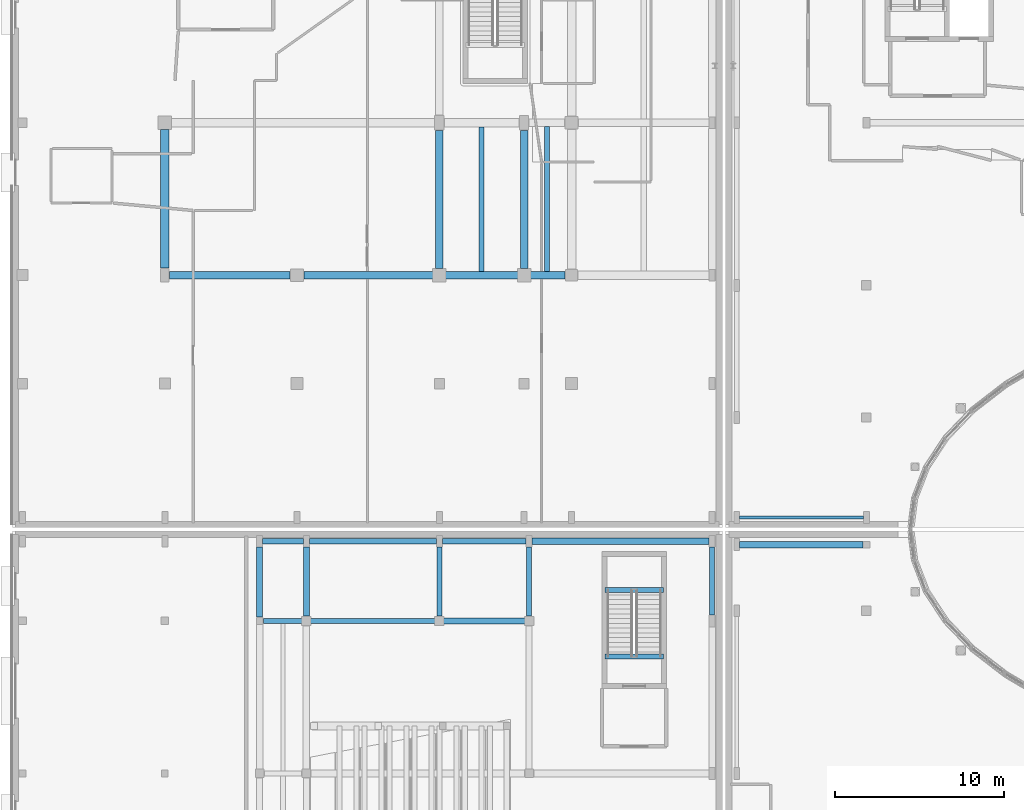
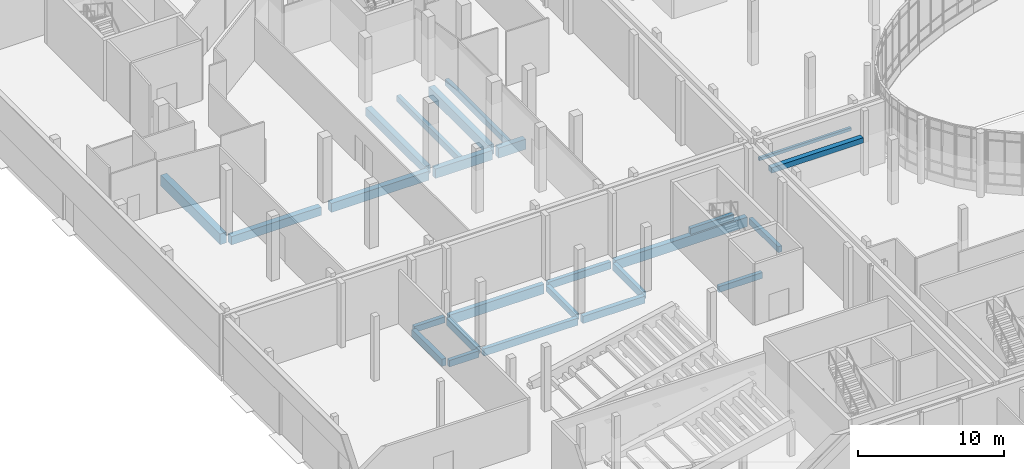
# One storey, part 17 of 84: 25 beams.
"""IFC4 building model written with IfcOpenShell, lengths in metres."""

from ifc_helpers import new_model, si_unit, direction, frame, origin, origin_2d, place, context, subcontext, project, spatial, rectangle, extrude, material, material_profile, profile_set, type_object, element, save


model = new_model("IFC4")

# Units and contexts
model_context = context("Model", 3, precision=1e-05, world=origin(), true_north=direction((0.0, 1.0)))
body_context = subcontext(model_context, "Body", "Model", "MODEL_VIEW")
ifc_project = project(units=[si_unit("LENGTHUNIT", "METRE"), si_unit("AREAUNIT", "SQUARE_METRE"), si_unit("VOLUMEUNIT", "CUBIC_METRE"), si_unit("PLANEANGLEUNIT", "RADIAN"), si_unit("MASSUNIT", "GRAM", prefix="KILO")], contexts=[model_context])

# Site, building, storey
site_placement = place(None, origin())
site = spatial("IfcSite", under=ifc_project, at=site_placement, CompositionType="ELEMENT")
building_placement = place(site_placement, origin())
building = spatial("IfcBuilding", under=site, at=building_placement, Name="Mzevani Central Library", CompositionType="ELEMENT")
storey_placement = place(building_placement, origin())
storey = spatial("IfcBuildingStorey", under=building, at=storey_placement, Name="L00", CompositionType="ELEMENT", Elevation=0.0)

# Beams
ifc_material_1 = material(Name="Concrete C35/45", Category="concrete")
ifc_material_profile_1 = material_profile(ifc_material_1, rectangle(XDim=0.300048828125, YDim=0.5, at=origin_2d()), Name="RC B300x500")
ifc_profile_set_1 = profile_set([ifc_material_profile_1], Name="Concrete C35/45")
beam_type_1 = type_object("IfcBeamType", Name="Beam RC 300x500", PredefinedType="BEAM", material=ifc_profile_set_1)
beam_1_placement = place(storey_placement, frame((18.77490234375, 75.300048828125, -0.64990234375), z_axis=(1.0, 0.0, 0.0), x_axis=(0.0, 1.0, 0.0)))
element("IfcBeam", 1, at=beam_1_placement, inside=storey, type_object=beam_type_1, Name="L00 V5 Girder B-01 (908)", PredefinedType="BEAM", context=body_context, shape_type="SweptSolid", body=[
    extrude(rectangle(XDim=0.300048828125, YDim=0.5, at=origin_2d()), origin(), (0.0, 0.0, 1.0), 2.400146484375),
])
beam_2_placement = place(storey_placement, frame((29.199951171875, 70.89990234375, -0.64990234375), z_axis=(0.0, 1.0, 0.0), x_axis=(-1.0, 0.0, 0.0)))
element("IfcBeam", 2, at=beam_2_placement, inside=storey, type_object=beam_type_1, Name="L00 V5 Frame Beam B-01 (920)", PredefinedType="BEAM", context=body_context, shape_type="SweptSolid", body=[
    extrude(rectangle(XDim=0.300048828125, YDim=0.5, at=origin_2d()), origin(), (0.0, 0.0, 1.0), 4.050048828125),
])
beam_3_placement = place(storey_placement, frame((45.300048828125, 70.949951171875, -0.64990234375), z_axis=(0.0, 1.0, 0.0), x_axis=(-1.0, 0.0, 0.0)))
element("IfcBeam", 3, at=beam_3_placement, inside=storey, type_object=beam_type_1, Name="L00 V5 Frame Beam B-01 (924)", PredefinedType="BEAM", context=body_context, shape_type="SweptSolid", body=[
    extrude(rectangle(XDim=0.300048828125, YDim=0.5, at=origin_2d()), origin(), (0.0, 0.0, 1.0), 4.0),
])
for number, where, z_axis, x_axis, name in (
    (4, (38.97998046875, 72.419921875, 2.25), (1.0, 0.0, 0.0), (0.0, 1.0, 0.0), "L00 Core C5B Lecture North Escape Stair Stair Landing Beam 1"),
    (5, (38.97998046875, 68.5, -0.25), (1.0, 0.0, 0.0), (0.0, 1.0, 0.0), "L00 Core C5B Lecture North Escape Stair Stair Opening Trimmer Beam"),
):
    element("IfcBeam", number, at=place(storey_placement, frame(where, z_axis=z_axis, x_axis=x_axis)), inside=storey, type_object=beam_type_1, Name=name, PredefinedType="BEAM", context=body_context, shape_type="SweptSolid", body=[
        extrude(rectangle(XDim=0.300048828125, YDim=0.5, at=origin_2d()), origin(), (0.0, 0.0, 1.0), 3.43994140625),
    ])
ifc_material_profile_2 = material_profile(ifc_material_1, rectangle(XDim=0.300048828125, YDim=0.550048828125, at=origin_2d()), Name="RC B300x550")
ifc_profile_set_2 = profile_set([ifc_material_profile_2], Name="Concrete C35/45")
beam_type_2 = type_object("IfcBeamType", Name="Beam RC 300x550", PredefinedType="BEAM", material=ifc_profile_set_2)
beam_4_placement = place(storey_placement, frame((18.824951171875, 70.60009765625, -0.675048828125), z_axis=(1.0, 0.0, 0.0), x_axis=(0.0, 1.0, 0.0)))
element("IfcBeam", 6, at=beam_4_placement, inside=storey, type_object=beam_type_2, Name="L00 V5 Girder B-02 (905)", PredefinedType="BEAM", context=body_context, shape_type="SweptSolid", body=[
    extrude(rectangle(XDim=0.300048828125, YDim=0.550048828125, at=origin_2d()), origin(), (0.0, 0.0, 1.0), 2.324951171875),
])
ifc_material_profile_3 = material_profile(ifc_material_1, rectangle(XDim=0.300048828125, YDim=0.60009765625, at=origin_2d()), Name="RC B300x600")
ifc_profile_set_3 = profile_set([ifc_material_profile_3], Name="Concrete C35/45")
beam_type_3 = type_object("IfcBeamType", Name="Beam RC 300x600", PredefinedType="BEAM", material=ifc_profile_set_3)
beam_5_placement = place(storey_placement, frame((21.550048828125, 70.60009765625, -0.699951171875), z_axis=(1.0, 0.0, 0.0), x_axis=(0.0, 1.0, 0.0)))
element("IfcBeam", 7, at=beam_5_placement, inside=storey, type_object=beam_type_3, Name="L00 V5 Girder B-03 (906)", PredefinedType="BEAM", context=body_context, shape_type="SweptSolid", body=[
    extrude(rectangle(XDim=0.300048828125, YDim=0.60009765625, at=origin_2d()), origin(), (0.0, 0.0, 1.0), 7.449951171875),
])
beam_6_placement = place(storey_placement, frame((29.375, 75.300048828125, -0.699951171875), z_axis=(1.0, 0.0, 0.0), x_axis=(0.0, 1.0, 0.0)))
element("IfcBeam", 8, at=beam_6_placement, inside=storey, type_object=beam_type_3, Name="L00 V5 Girder B-03 (910)", PredefinedType="BEAM", context=body_context, shape_type="SweptSolid", body=[
    extrude(rectangle(XDim=0.300048828125, YDim=0.60009765625, at=origin_2d()), origin(), (0.0, 0.0, 1.0), 4.949951171875),
])
beam_7_placement = place(storey_placement, frame((34.5, 70.89990234375, -0.699951171875), z_axis=(0.0, 1.0, 0.0), x_axis=(-1.0, 0.0, 0.0)))
element("IfcBeam", 9, at=beam_7_placement, inside=storey, type_object=beam_type_3, Name="L00 V5 Frame Beam B-03 (922)", PredefinedType="BEAM", context=body_context, shape_type="SweptSolid", body=[
    extrude(rectangle(XDim=0.300048828125, YDim=0.60009765625, at=origin_2d()), origin(), (0.0, 0.0, 1.0), 4.050048828125),
])
ifc_material_profile_4 = material_profile(ifc_material_1, rectangle(XDim=0.35009765625, YDim=0.60009765625, at=origin_2d()), Name="RC B350x600")
ifc_profile_set_4 = profile_set([ifc_material_profile_4], Name="Concrete C35/45")
beam_type_4 = type_object("IfcBeamType", Name="Beam RC 350x600", PredefinedType="BEAM", material=ifc_profile_set_4)
beam_8_placement = place(storey_placement, frame((29.39990234375, 70.60009765625, -0.699951171875), z_axis=(1.0, 0.0, 0.0), x_axis=(0.0, 1.0, 0.0)))
element("IfcBeam", 10, at=beam_8_placement, inside=storey, type_object=beam_type_4, Name="L00 V5 Girder B-04 (907)", PredefinedType="BEAM", context=body_context, shape_type="SweptSolid", body=[
    extrude(rectangle(XDim=0.35009765625, YDim=0.60009765625, at=origin_2d()), origin(), (0.0, 0.0, 1.0), 4.900146484375),
])
beam_9_placement = place(storey_placement, frame((18.60009765625, 70.824951171875, -0.699951171875), z_axis=(0.0, 1.0, 0.0), x_axis=(-1.0, 0.0, 0.0)))
element("IfcBeam", 11, at=beam_9_placement, inside=storey, type_object=beam_type_4, Name="L00 V5 Frame Beam B-04 (915)", PredefinedType="BEAM", context=body_context, shape_type="SweptSolid", body=[
    extrude(rectangle(XDim=0.35009765625, YDim=0.60009765625, at=origin_2d()), origin(), (0.0, 0.0, 1.0), 4.125),
])
beam_10_placement = place(storey_placement, frame((21.35009765625, 70.89990234375, -0.699951171875), z_axis=(0.0, 1.0, 0.0), x_axis=(-1.0, 0.0, 0.0)))
element("IfcBeam", 12, at=beam_10_placement, inside=storey, type_object=beam_type_4, Name="L00 V5 Frame Beam B-04 (919)", PredefinedType="BEAM", context=body_context, shape_type="SweptSolid", body=[
    extrude(rectangle(XDim=0.35009765625, YDim=0.60009765625, at=origin_2d()), origin(), (0.0, 0.0, 1.0), 4.050048828125),
])
ifc_material_profile_5 = material_profile(ifc_material_1, rectangle(XDim=0.39990234375, YDim=0.800048828125, at=origin_2d()), Name="RC B400x800")
ifc_profile_set_5 = profile_set([ifc_material_profile_5], Name="Concrete C35/45")
beam_type_5 = type_object("IfcBeamType", Name="Beam RC 400x800", PredefinedType="BEAM", material=ifc_profile_set_5)
beam_11_placement = place(storey_placement, frame((34.675048828125, 75.300048828125, -0.800048828125), z_axis=(1.0, 0.0, 0.0), x_axis=(0.0, 1.0, 0.0)))
element("IfcBeam", 13, at=beam_11_placement, inside=storey, type_object=beam_type_5, Name="L00 V5 Girder B-10 (911)", PredefinedType="BEAM", context=body_context, shape_type="SweptSolid", body=[
    extrude(rectangle(XDim=0.39990234375, YDim=0.800048828125, at=origin_2d()), origin(), (0.0, 0.0, 1.0), 10.449951171875),
])
ifc_material_2 = material(Name="Precast concrete C40/50", Category="concrete")
ifc_material_profile_6 = material_profile(ifc_material_2, rectangle(XDim=0.35009765625, YDim=0.800048828125, at=origin_2d()), Name="RC SP350x800")
ifc_profile_set_6 = profile_set([ifc_material_profile_6], Name="Precast concrete C40/50")
beam_type_6 = type_object("IfcBeamType", Name="Colonnade Fascia Beam RC 350x800", PredefinedType="SPANDREL", material=ifc_profile_set_6)
beam_12_placement = place(storey_placement, frame((21.52490234375, 75.300048828125, -0.800048828125), z_axis=(1.0, 0.0, 0.0), x_axis=(0.0, 1.0, 0.0)))
element("IfcBeam", 14, at=beam_12_placement, inside=storey, type_object=beam_type_6, Name="L00 V5 Girder SP-02 (909)", PredefinedType="SPANDREL", context=body_context, shape_type="SweptSolid", body=[
    extrude(rectangle(XDim=0.35009765625, YDim=0.800048828125, at=origin_2d()), origin(), (0.0, 0.0, 1.0), 7.5),
])
ifc_material_profile_7 = material_profile(ifc_material_2, rectangle(XDim=0.39990234375, YDim=0.449951171875, at=origin_2d()), Name="PC LN400x450")
ifc_profile_set_7 = profile_set([ifc_material_profile_7], Name="Precast concrete C40/50")
beam_type_7 = type_object("IfcBeamType", Name="Precast Portal Lintel 400x450", PredefinedType="LINTEL", material=ifc_profile_set_7)
beam_13_placement = place(storey_placement, frame((46.925048828125, 75.10009765625, 2.97509765625), z_axis=(1.0, 0.0, 0.0), x_axis=(0.0, 1.0, 0.0)))
element("IfcBeam", 15, at=beam_13_placement, inside=storey, type_object=beam_type_7, Name="L00 V1 Precast Portal Lintel (6)", PredefinedType="LINTEL", context=body_context, shape_type="SweptSolid", body=[
    extrude(rectangle(XDim=0.39990234375, YDim=0.449951171875, at=origin_2d()), origin(), (0.0, 0.0, 1.0), 7.27490234375),
])
ifc_material_profile_8 = material_profile(ifc_material_2, rectangle(XDim=0.199951171875, YDim=0.25, at=origin_2d()), Name="PC LN200x250")
ifc_profile_set_8 = profile_set([ifc_material_profile_8], Name="Precast concrete C40/50")
beam_type_8 = type_object("IfcBeamType", Name="Precast Window Lintel 200x250", PredefinedType="LINTEL", material=ifc_profile_set_8)
beam_14_placement = place(storey_placement, frame((46.925048828125, 76.699951171875, 2.875), z_axis=(1.0, 0.0, 0.0), x_axis=(0.0, 1.0, 0.0)))
element("IfcBeam", 16, at=beam_14_placement, inside=storey, type_object=beam_type_8, Name="L00 V3 Precast Portal Lintel (25)", PredefinedType="LINTEL", context=body_context, shape_type="SweptSolid", body=[
    extrude(rectangle(XDim=0.199951171875, YDim=0.25, at=origin_2d()), origin(), (0.0, 0.0, 1.0), 7.300048828125),
])
ifc_material_3 = material(Name="Concrete C40/50", Category="concrete")
ifc_material_profile_9 = material_profile(ifc_material_3, rectangle(XDim=0.449951171875, YDim=0.699951171875, at=origin_2d()), Name="RC B450x700")
ifc_profile_set_9 = profile_set([ifc_material_profile_9], Name="Concrete C40/50")
beam_type_9 = type_object("IfcBeamType", Name="Stack Girder RC 450x700", PredefinedType="BEAM", material=ifc_profile_set_9)
beam_15_placement = place(storey_placement, frame((13.27490234375, 91.0, -0.75), z_axis=(1.0, 0.0, 0.0), x_axis=(0.0, 1.0, 0.0)))
element("IfcBeam", 17, at=beam_15_placement, inside=storey, type_object=beam_type_9, Name="L00 V2 Girder BG-01 (175)", PredefinedType="BEAM", context=body_context, shape_type="SweptSolid", body=[
    extrude(rectangle(XDim=0.449951171875, YDim=0.699951171875, at=origin_2d()), origin(), (0.0, 0.0, 1.0), 7.125),
])
beam_16_placement = place(storey_placement, frame((29.199951171875, 91.39990234375, -0.75), z_axis=(0.0, 1.0, 0.0), x_axis=(-1.0, 0.0, 0.0)))
element("IfcBeam", 18, at=beam_16_placement, inside=storey, type_object=beam_type_9, Name="L00 V2 Frame Beam BG-01 (189)", PredefinedType="BEAM", context=body_context, shape_type="SweptSolid", body=[
    extrude(rectangle(XDim=0.449951171875, YDim=0.699951171875, at=origin_2d()), origin(), (0.0, 0.0, 1.0), 8.150146484375),
])
ifc_material_profile_10 = material_profile(ifc_material_3, rectangle(XDim=0.449951171875, YDim=0.75, at=origin_2d()), Name="RC B450x750")
ifc_profile_set_10 = profile_set([ifc_material_profile_10], Name="Concrete C40/50")
beam_type_10 = type_object("IfcBeamType", Name="Stack Girder RC 450x750", PredefinedType="BEAM", material=ifc_profile_set_10)
beam_17_placement = place(storey_placement, frame((21.199951171875, 91.0, -0.77490234375), z_axis=(1.0, 0.0, 0.0), x_axis=(0.0, 1.0, 0.0)))
element("IfcBeam", 19, at=beam_17_placement, inside=storey, type_object=beam_type_10, Name="L00 V2 Girder BG-02 (176)", PredefinedType="BEAM", context=body_context, shape_type="SweptSolid", body=[
    extrude(rectangle(XDim=0.449951171875, YDim=0.75, at=origin_2d()), origin(), (0.0, 0.0, 1.0), 7.75),
])
ifc_material_profile_11 = material_profile(ifc_material_3, rectangle(XDim=0.449951171875, YDim=0.800048828125, at=origin_2d()), Name="RC B450x800")
ifc_profile_set_11 = profile_set([ifc_material_profile_11], Name="Concrete C40/50")
beam_type_11 = type_object("IfcBeamType", Name="Stack Girder RC 450x800", PredefinedType="BEAM", material=ifc_profile_set_11)
beam_18_placement = place(storey_placement, frame((29.449951171875, 91.0, -0.800048828125), z_axis=(1.0, 0.0, 0.0), x_axis=(0.0, 1.0, 0.0)))
element("IfcBeam", 20, at=beam_18_placement, inside=storey, type_object=beam_type_11, Name="L00 V2 Girder BG-03 (177)", PredefinedType="BEAM", context=body_context, shape_type="SweptSolid", body=[
    extrude(rectangle(XDim=0.449951171875, YDim=0.800048828125, at=origin_2d()), origin(), (0.0, 0.0, 1.0), 4.5),
])
ifc_material_profile_12 = material_profile(ifc_material_3, rectangle(XDim=0.449951171875, YDim=0.85009765625, at=origin_2d()), Name="RC B450x850")
ifc_profile_set_12 = profile_set([ifc_material_profile_12], Name="Concrete C40/50")
beam_type_12 = type_object("IfcBeamType", Name="Stack Girder RC 450x850", PredefinedType="BEAM", material=ifc_profile_set_12)
beam_19_placement = place(storey_placement, frame((34.449951171875, 91.0, -0.824951171875), z_axis=(1.0, 0.0, 0.0), x_axis=(0.0, 1.0, 0.0)))
element("IfcBeam", 21, at=beam_19_placement, inside=storey, type_object=beam_type_12, Name="L00 V2 Girder BG-04 (178)", PredefinedType="BEAM", context=body_context, shape_type="SweptSolid", body=[
    extrude(rectangle(XDim=0.449951171875, YDim=0.85009765625, at=origin_2d()), origin(), (0.0, 0.0, 1.0), 2.175048828125),
])
beam_20_placement = place(storey_placement, frame((34.199951171875, 91.39990234375, -0.824951171875), z_axis=(0.0, 1.0, 0.0), x_axis=(-1.0, 0.0, 0.0)))
element("IfcBeam", 22, at=beam_20_placement, inside=storey, type_object=beam_type_12, Name="L00 V2 Frame Beam BG-04 (192)", PredefinedType="BEAM", context=body_context, shape_type="SweptSolid", body=[
    extrude(rectangle(XDim=0.449951171875, YDim=0.85009765625, at=origin_2d()), origin(), (0.0, 0.0, 1.0), 8.150146484375),
])
ifc_material_profile_13 = material_profile(ifc_material_3, rectangle(XDim=0.5, YDim=0.89990234375, at=origin_2d()), Name="RC B500x900")
ifc_profile_set_13 = profile_set([ifc_material_profile_13], Name="Concrete C40/50")
beam_type_13 = type_object("IfcBeamType", Name="Stack Girder RC 500x900", PredefinedType="BEAM", material=ifc_profile_set_13)
beam_21_placement = place(storey_placement, frame((13.0, 91.425048828125, -0.85009765625), z_axis=(0.0, 1.0, 0.0), x_axis=(-1.0, 0.0, 0.0)))
element("IfcBeam", 23, at=beam_21_placement, inside=storey, type_object=beam_type_13, Name="L00 V2 Frame Beam BG-07 (188)", PredefinedType="BEAM", context=body_context, shape_type="SweptSolid", body=[
    extrude(rectangle(XDim=0.5, YDim=0.89990234375, at=origin_2d()), origin(), (0.0, 0.0, 1.0), 8.175048828125),
])
ifc_material_profile_14 = material_profile(ifc_material_3, rectangle(XDim=0.300048828125, YDim=0.52001953125, at=origin_2d()), Name="RC J300x520")
ifc_profile_set_14 = profile_set([ifc_material_profile_14], Name="Concrete C40/50")
beam_type_14 = type_object("IfcBeamType", Name="Stack Joist RC 300x520", PredefinedType="JOIST", material=ifc_profile_set_14)
beam_22_placement = place(storey_placement, frame((31.699951171875, 91.22509765625, -0.659912109375), z_axis=(0.0, 1.0, 0.0), x_axis=(-1.0, 0.0, 0.0)))
element("IfcBeam", 24, at=beam_22_placement, inside=storey, type_object=beam_type_14, Name="L00 V2 Floor Joist BJ-04 (199)", PredefinedType="JOIST", context=body_context, shape_type="SweptSolid", body=[
    extrude(rectangle(XDim=0.300048828125, YDim=0.52001953125, at=origin_2d()), origin(), (0.0, 0.0, 1.0), 8.52490234375),
])
beam_23_placement = place(storey_placement, frame((35.550048828125, 91.22509765625, -0.659912109375), z_axis=(0.0, 1.0, 0.0), x_axis=(-1.0, 0.0, 0.0)))
element("IfcBeam", 25, at=beam_23_placement, inside=storey, type_object=beam_type_14, Name="L00 V2 Floor Joist BJ-04 (200)", PredefinedType="JOIST", context=body_context, shape_type="SweptSolid", body=[
    extrude(rectangle(XDim=0.300048828125, YDim=0.52001953125, at=origin_2d()), origin(), (0.0, 0.0, 1.0), 8.5498046875),
])

save(model, "model.ifc")
